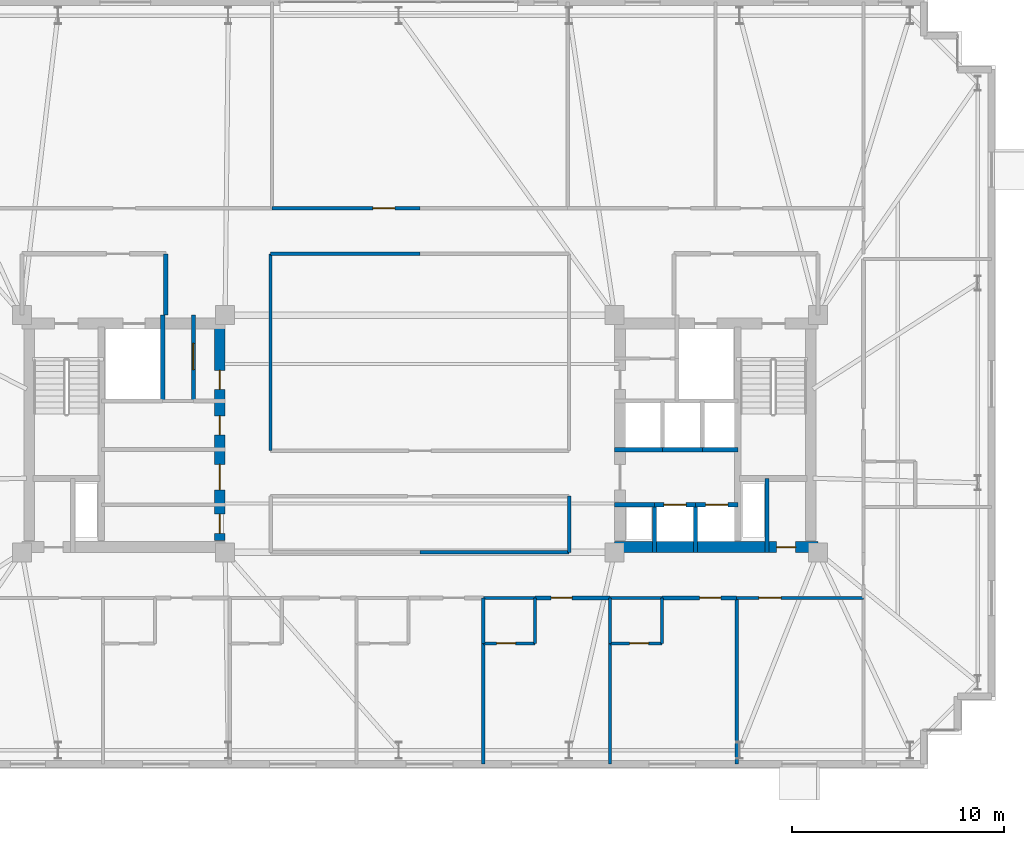
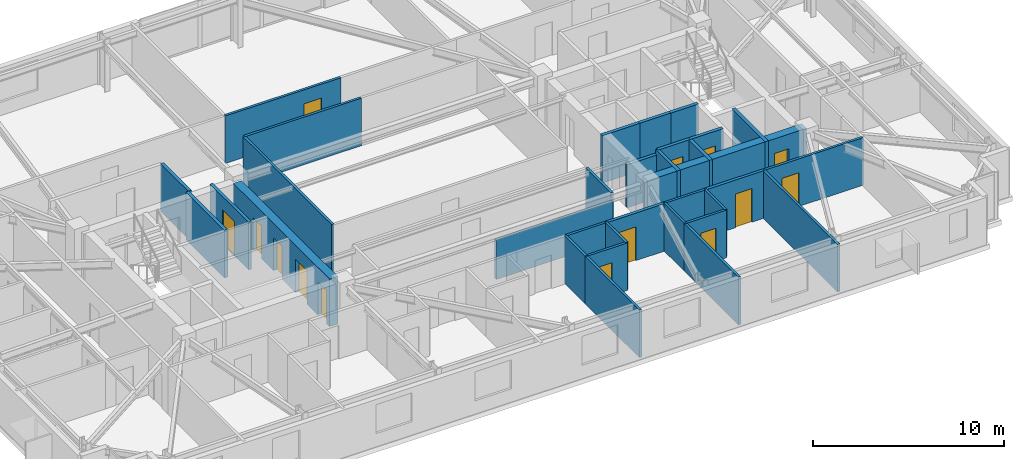
# One storey, part 14 of 18: 33 walls, 14 doors, 14 openings.
"""IFC4 building model written with IfcOpenShell, lengths in metres."""

from ifc_helpers import new_model, si_unit, direction, frame, frame_2d, origin, place, context, subcontext, project, spatial, rectangle, extrude, material, layer, layer_set, type_object, element, fill, save


model = new_model("IFC4")

# Units and contexts
model_context = context("Model", 3, precision=1e-05, world=origin(), true_north=direction((0.0, 1.0)))
body_context = subcontext(model_context, "Body", "Model", "MODEL_VIEW")
ifc_project = project(units=[si_unit("LENGTHUNIT", "METRE"), si_unit("AREAUNIT", "SQUARE_METRE"), si_unit("VOLUMEUNIT", "CUBIC_METRE"), si_unit("PLANEANGLEUNIT", "RADIAN"), si_unit("MASSUNIT", "GRAM", prefix="KILO")], contexts=[model_context])

# Site, building, storey
site_placement = place(None, origin())
site = spatial("IfcSite", under=ifc_project, at=site_placement, CompositionType="ELEMENT")
building_placement = place(site_placement, origin())
building = spatial("IfcBuilding", under=site, at=building_placement, Name="Qobustan Lattice House", CompositionType="ELEMENT")
storey_placement = place(building_placement, frame((0.0, 0.0, 151.10009765625)))
storey = spatial("IfcBuildingStorey", under=building, at=storey_placement, Name="L42", CompositionType="ELEMENT", Elevation=151.10009765625)

# Wall, openings, doors
ifc_material_1 = material(Name="Concrete C50/60", Category="concrete")
ifc_layer_1 = layer(ifc_material_1, 0.5)
ifc_layer_set_1 = layer_set([ifc_layer_1], Name="Concrete C50/60")
wall_type_1 = type_object("IfcWallType", Name="WAL-CORE-500", PredefinedType="SHEAR", material=ifc_layer_set_1)
wall_1_placement = place(storey_placement, frame((-9.449951171875, -5.050048828125, 0.0), z_axis=(0.0, 0.0, 1.0), x_axis=(0.0, 1.0, 0.0)))
wall_1 = element("IfcWall", 1, at=wall_1_placement, inside=storey, type_object=wall_type_1, Name="L42 split-core shear wall CW-E", PredefinedType="SHEAR", context=body_context, shape_type="SweptSolid", body=[
    extrude(rectangle(XDim=10.10009765625, YDim=0.5, at=frame_2d((5.050048828125, 0.0))), origin(), (0.0, 0.0, 1.0), 3.039794921875),
])
opening_1_placement = place(wall_1_placement, frame((7.14990234375, 0.0, 0.0)))
opening_1 = element("IfcOpeningElement", 2, at=opening_1_placement, cuts=wall_1, Name="Opening RD-01", PredefinedType="OPENING", context=body_context, shape_type="SweptSolid", body=[
    extrude(rectangle(XDim=0.89990234375, YDim=2.10009765625, at=frame_2d((0.449951171875, 1.050048828125))), frame((0.0, 0.260009765625, 0.0), z_axis=(0.0, -1.0, 0.0), x_axis=(1.0, 0.0, 0.0)), (0.0, 0.0, 1.0), 0.52001953125),
])
opening_2_placement = place(wall_1_placement, frame((2.39990234375, 0.0, 0.0)))
opening_2 = element("IfcOpeningElement", 3, at=opening_2_placement, cuts=wall_1, Name="Opening FD-01", PredefinedType="OPENING", context=body_context, shape_type="SweptSolid", body=[
    extrude(rectangle(XDim=1.199951171875, YDim=2.14990234375, at=frame_2d((0.60009765625, 1.074951171875))), frame((0.0, 0.260009765625, 0.0), z_axis=(0.0, -1.0, 0.0), x_axis=(1.0, 0.0, 0.0)), (0.0, 0.0, 1.0), 0.52001953125),
])
opening_3_placement = place(wall_1_placement, frame((0.35009765625, 0.0, 0.0)))
opening_3 = element("IfcOpeningElement", 4, at=opening_3_placement, cuts=wall_1, Name="Opening RD-01", PredefinedType="OPENING", context=body_context, shape_type="SweptSolid", body=[
    extrude(rectangle(XDim=0.89990234375, YDim=2.10009765625, at=frame_2d((0.449951171875, 1.050048828125))), frame((0.0, 0.260009765625, 0.0), z_axis=(0.0, -1.0, 0.0), x_axis=(1.0, 0.0, 0.0)), (0.0, 0.0, 1.0), 0.52001953125),
])
opening_4_placement = place(wall_1_placement, frame((5.0, 0.0, 0.0)))
opening_4 = element("IfcOpeningElement", 5, at=opening_4_placement, cuts=wall_1, Name="Opening RD-01", PredefinedType="OPENING", context=body_context, shape_type="SweptSolid", body=[
    extrude(rectangle(XDim=0.89990234375, YDim=2.10009765625, at=frame_2d((0.449951171875, 1.050048828125))), frame((0.0, 0.260009765625, 0.0), z_axis=(0.0, -1.0, 0.0), x_axis=(1.0, 0.0, 0.0)), (0.0, 0.0, 1.0), 0.52001953125),
])
ifc_material_2 = material(Name="Persian walnut timber and steel frame door", Category="steel")
door_type_1 = type_object("IfcDoorType", Name="DOR-LOBBY-FD-1200x2150", OperationType="NOTDEFINED", PredefinedType="DOOR", material=ifc_material_2)
door_1_placement = place(opening_2_placement, origin())
door_1 = element("IfcDoor", 6, at=door_1_placement, inside=storey, type_object=door_type_1, Name="L42 West core foyer fire door", OperationType="SINGLE_SWING_RIGHT", OverallHeight=2.14990234375, OverallWidth=1.199951171875, PredefinedType="DOOR", context=body_context, shape_type="SweptSolid", body=[
    extrude(rectangle(XDim=1.199951171875, YDim=2.14990234375, at=frame_2d((0.60009765625, 1.074951171875))), frame((0.0, 0.02490234375, 0.0), z_axis=(0.0, -1.0, 0.0), x_axis=(1.0, 0.0, 0.0)), (0.0, 0.0, 1.0), 0.050048828125),
])
fill(opening_2, door_1)
ifc_material_3 = material(Name="Persian walnut timber and steel frame door", Category="steel")
door_type_2 = type_object("IfcDoorType", Name="DOR-RISER-FD-900x2100", OperationType="NOTDEFINED", PredefinedType="DOOR", material=ifc_material_3)
door_2_placement = place(opening_1_placement, origin())
door_2 = element("IfcDoor", 7, at=door_2_placement, inside=storey, type_object=door_type_2, Name="L42 Data comms closet fire door", OperationType="SINGLE_SWING_LEFT", OverallHeight=2.10009765625, OverallWidth=0.89990234375, PredefinedType="DOOR", context=body_context, shape_type="SweptSolid", body=[
    extrude(rectangle(XDim=0.89990234375, YDim=2.10009765625, at=frame_2d((0.449951171875, 1.050048828125))), frame((0.0, 0.02490234375, 0.0), z_axis=(0.0, -1.0, 0.0), x_axis=(1.0, 0.0, 0.0)), (0.0, 0.0, 1.0), 0.050048828125),
])
fill(opening_1, door_2)
door_3_placement = place(opening_3_placement, origin())
door_3 = element("IfcDoor", 8, at=door_3_placement, inside=storey, type_object=door_type_2, Name="L42 Collaborative study lounge fire door", OperationType="SINGLE_SWING_LEFT", OverallHeight=2.10009765625, OverallWidth=0.89990234375, PredefinedType="DOOR", context=body_context, shape_type="SweptSolid", body=[
    extrude(rectangle(XDim=0.89990234375, YDim=2.10009765625, at=frame_2d((0.449951171875, 1.050048828125))), frame((0.0, 0.02490234375, 0.0), z_axis=(0.0, -1.0, 0.0), x_axis=(1.0, 0.0, 0.0)), (0.0, 0.0, 1.0), 0.050048828125),
])
fill(opening_3, door_3)
door_4_placement = place(opening_4_placement, origin())
door_4 = element("IfcDoor", 9, at=door_4_placement, inside=storey, type_object=door_type_2, Name="L42 Focus booth pod fire door", OperationType="SINGLE_SWING_RIGHT", OverallHeight=2.10009765625, OverallWidth=0.89990234375, PredefinedType="DOOR", context=body_context, shape_type="SweptSolid", body=[
    extrude(rectangle(XDim=0.89990234375, YDim=2.10009765625, at=frame_2d((0.449951171875, 1.050048828125))), frame((0.0, 0.02490234375, 0.0), z_axis=(0.0, -1.0, 0.0), x_axis=(1.0, 0.0, 0.0)), (0.0, 0.0, 1.0), 0.050048828125),
])
fill(opening_4, door_4)

# Wall, opening, door
wall_2_placement = place(storey_placement, frame((9.199951171875, -5.35009765625, 0.0), z_axis=(0.0, 0.0, 1.0), x_axis=(1.0, 0.0, 0.0)))
wall_2 = element("IfcWall", 10, at=wall_2_placement, inside=storey, type_object=wall_type_1, Name="L42 split-core shear wall CE-S", PredefinedType="SHEAR", context=body_context, shape_type="SweptSolid", body=[
    extrude(rectangle(XDim=9.60009765625, YDim=0.5, at=frame_2d((4.800048828125, 0.0))), origin(), (0.0, 0.0, 1.0), 3.039794921875),
])
opening_5_placement = place(wall_2_placement, frame((7.64990234375, 0.0, 0.0)))
opening_5 = element("IfcOpeningElement", 11, at=opening_5_placement, cuts=wall_2, Name="Opening RD-01", PredefinedType="OPENING", context=body_context, shape_type="SweptSolid", body=[
    extrude(rectangle(XDim=0.89990234375, YDim=2.10009765625, at=frame_2d((0.449951171875, 1.050048828125))), frame((0.0, 0.260009765625, 0.0), z_axis=(0.0, -1.0, 0.0), x_axis=(1.0, 0.0, 0.0)), (0.0, 0.0, 1.0), 0.52001953125),
])
door_5_placement = place(opening_5_placement, origin())
door_5 = element("IfcDoor", 12, at=door_5_placement, inside=storey, type_object=door_type_2, Name="L42 core service riser access door E", OperationType="SINGLE_SWING_RIGHT", OverallHeight=2.10009765625, OverallWidth=0.89990234375, PredefinedType="DOOR", context=body_context, shape_type="SweptSolid", body=[
    extrude(rectangle(XDim=0.89990234375, YDim=2.10009765625, at=frame_2d((0.449951171875, 1.050048828125))), frame((0.0, 0.02490234375, 0.0), z_axis=(0.0, -1.0, 0.0), x_axis=(1.0, 0.0, 0.0)), (0.0, 0.0, 1.0), 0.050048828125),
])
fill(opening_5, door_5)

ifc_material_4 = material(Name="Gypsum fireboard acoustic partition", Category="gypsum")
ifc_layer_2 = layer(ifc_material_4, 0.179931640625)
ifc_layer_set_2 = layer_set([ifc_layer_2], Name="Gypsum fireboard acoustic partition")
wall_type_2 = type_object("IfcWallType", Name="WAL-FIRE-180", PredefinedType="PARTITIONING", material=ifc_layer_set_2)
wall_3_placement = place(storey_placement, frame((-10.699951171875, 5.60009765625, 0.0), z_axis=(0.0, 0.0, 1.0), x_axis=(0.0, -1.0, 0.0)))
wall_3 = element("IfcWall", 13, at=wall_3_placement, inside=storey, type_object=wall_type_2, Name="L42 interior partition 6", PredefinedType="PARTITIONING", context=body_context, shape_type="SweptSolid", body=[
    extrude(rectangle(XDim=4.050048828125, YDim=0.179931640625, at=frame_2d((2.02490234375, 0.0))), origin(), (0.0, 0.0, 1.0), 3.039794921875),
])
opening_6_placement = place(wall_3_placement, frame((1.324951171875, 0.0, 0.0)))
opening_6 = element("IfcOpeningElement", 14, at=opening_6_placement, cuts=wall_3, Name="Opening FD-03", PredefinedType="OPENING", context=body_context, shape_type="SweptSolid", body=[
    extrude(rectangle(XDim=1.25, YDim=2.199951171875, at=frame_2d((0.625, 1.10009765625))), frame((0.0, 0.099853515625, 0.0), z_axis=(0.0, -1.0, 0.0), x_axis=(1.0, 0.0, 0.0)), (0.0, 0.0, 1.0), 0.199951171875),
])
ifc_material_5 = material(Name="Persian walnut timber and steel frame door", Category="steel")
door_type_3 = type_object("IfcDoorType", Name="DOR-PLANT-1250x2200", OperationType="NOTDEFINED", PredefinedType="DOOR", material=ifc_material_5)
door_6_placement = place(opening_6_placement, origin())
door_6 = element("IfcDoor", 15, at=door_6_placement, inside=storey, type_object=door_type_3, Name="L42 Data comms closet to Linen store door", OperationType="SINGLE_SWING_RIGHT", OverallHeight=2.199951171875, OverallWidth=1.25, PredefinedType="DOOR", context=body_context, shape_type="SweptSolid", body=[
    extrude(rectangle(XDim=1.25, YDim=2.199951171875, at=frame_2d((0.625, 1.10009765625))), frame((0.0, 0.02490234375, 0.0), z_axis=(0.0, -1.0, 0.0), x_axis=(1.0, 0.0, 0.0)), (0.0, 0.0, 1.0), 0.050048828125),
])
fill(opening_6, door_6)

wall_4_placement = place(storey_placement, frame((8.97900390625, -7.75, 0.0), z_axis=(0.0, 0.0, 1.0), x_axis=(-1.0, 0.0, 0.0)))
wall_4 = element("IfcWall", 16, at=wall_4_placement, inside=storey, type_object=wall_type_2, Name="L42 interior partition 54", PredefinedType="PARTITIONING", context=body_context, shape_type="SweptSolid", body=[
    extrude(rectangle(XDim=3.535888671875, YDim=0.179931640625, at=frame_2d((1.76806640625, 0.0))), origin(), (0.0, 0.0, 1.0), 3.039794921875),
])
opening_7_placement = place(wall_4_placement, frame((1.783935546875, 0.0, 0.0)))
opening_7 = element("IfcOpeningElement", 17, at=opening_7_placement, cuts=wall_4, Name="Opening FD-02", PredefinedType="OPENING", context=body_context, shape_type="SweptSolid", body=[
    extrude(rectangle(XDim=1.0, YDim=2.14990234375, at=frame_2d((0.5, 1.074951171875))), frame((0.0, 0.099853515625, 0.0), z_axis=(0.0, -1.0, 0.0), x_axis=(1.0, 0.0, 0.0)), (0.0, 0.0, 1.0), 0.199951171875),
])
ifc_material_6 = material(Name="Persian walnut timber and steel frame door", Category="steel")
door_type_4 = type_object("IfcDoorType", Name="DOR-UNIT-FD-1000x2150", OperationType="NOTDEFINED", PredefinedType="DOOR", material=ifc_material_6)
door_7_placement = place(opening_7_placement, origin())
door_7 = element("IfcDoor", 18, at=door_7_placement, inside=storey, type_object=door_type_4, Name="L42 South-east floor corridor to Kitchenette and studio apartment L42-S5 door", OperationType="SINGLE_SWING_LEFT", OverallHeight=2.14990234375, OverallWidth=1.0, PredefinedType="DOOR", context=body_context, shape_type="SweptSolid", body=[
    extrude(rectangle(XDim=1.0, YDim=2.14990234375, at=frame_2d((0.5, 1.074951171875))), frame((0.0, 0.02490234375, 0.0), z_axis=(0.0, -1.0, 0.0), x_axis=(1.0, 0.0, 0.0)), (0.0, 0.0, 1.0), 0.050048828125),
])
fill(opening_7, door_7)

wall_5_placement = place(storey_placement, frame((14.964111328125, -7.75, 0.0), z_axis=(0.0, 0.0, 1.0), x_axis=(-1.0, 0.0, 0.0)))
wall_5 = element("IfcWall", 19, at=wall_5_placement, inside=storey, type_object=wall_type_2, Name="L42 interior partition 56", PredefinedType="PARTITIONING", context=body_context, shape_type="SweptSolid", body=[
    extrude(rectangle(XDim=3.53515625, YDim=0.179931640625, at=frame_2d((1.767578125, 0.0))), origin(), (0.0, 0.0, 1.0), 3.039794921875),
])
opening_8_placement = place(wall_5_placement, frame((0.751953125, 0.0, 0.0)))
opening_8 = element("IfcOpeningElement", 20, at=opening_8_placement, cuts=wall_5, Name="Opening FD-02", PredefinedType="OPENING", context=body_context, shape_type="SweptSolid", body=[
    extrude(rectangle(XDim=1.0, YDim=2.14990234375, at=frame_2d((0.5, 1.074951171875))), frame((0.0, 0.099853515625, 0.0), z_axis=(0.0, -1.0, 0.0), x_axis=(1.0, 0.0, 0.0)), (0.0, 0.0, 1.0), 0.199951171875),
])
door_8_placement = place(opening_8_placement, origin())
door_8 = element("IfcDoor", 21, at=door_8_placement, inside=storey, type_object=door_type_4, Name="L42 South-east floor corridor to Kitchenette and studio apartment L42-S6 door", OperationType="SINGLE_SWING_RIGHT", OverallHeight=2.14990234375, OverallWidth=1.0, PredefinedType="DOOR", context=body_context, shape_type="SweptSolid", body=[
    extrude(rectangle(XDim=1.0, YDim=2.14990234375, at=frame_2d((0.5, 1.074951171875))), frame((0.0, 0.02490234375, 0.0), z_axis=(0.0, -1.0, 0.0), x_axis=(1.0, 0.0, 0.0)), (0.0, 0.0, 1.0), 0.050048828125),
])
fill(opening_8, door_8)

ifc_material_7 = material(Name="Acoustic twin-stud gypsum partition", Category="gypsum")
ifc_layer_3 = layer(ifc_material_7, 0.14990234375)
ifc_layer_set_3 = layer_set([ifc_layer_3], Name="Acoustic twin-stud gypsum partition")
wall_type_3 = type_object("IfcWallType", Name="WAL-PART-150", PredefinedType="PARTITIONING", material=ifc_layer_set_3)
wall_6_placement = place(storey_placement, frame((-6.98291015625, 10.64990234375, 0.0), z_axis=(0.0, 0.0, 1.0), x_axis=(1.0, 0.0, 0.0)))
wall_6 = element("IfcWall", 22, at=wall_6_placement, inside=storey, type_object=wall_type_3, Name="L42 interior partition 36", PredefinedType="PARTITIONING", context=body_context, shape_type="SweptSolid", body=[
    extrude(rectangle(XDim=6.98291015625, YDim=0.14990234375, at=frame_2d((3.491455078125, 0.0))), origin(), (0.0, 0.0, 1.0), 3.039794921875),
])
opening_9_placement = place(wall_6_placement, frame((4.75634765625, 0.0, 0.0)))
opening_9 = element("IfcOpeningElement", 23, at=opening_9_placement, cuts=wall_6, Name="Opening ID-02", PredefinedType="OPENING", context=body_context, shape_type="SweptSolid", body=[
    extrude(rectangle(XDim=1.050048828125, YDim=2.14990234375, at=frame_2d((0.52490234375, 1.074951171875))), frame((0.0, 0.0849609375, 0.0), z_axis=(0.0, -1.0, 0.0), x_axis=(1.0, 0.0, 0.0)), (0.0, 0.0, 1.0), 0.169921875),
])
ifc_material_8 = material(Name="Persian walnut timber and steel frame door", Category="steel")
door_type_5 = type_object("IfcDoorType", Name="DOR-STUDY-1050x2150", OperationType="NOTDEFINED", PredefinedType="DOOR", material=ifc_material_8)
door_9_placement = place(opening_9_placement, origin())
door_9 = element("IfcDoor", 24, at=door_9_placement, inside=storey, type_object=door_type_5, Name="L42 North-west floor corridor to Walnut iwan sky lounge N2 door", OperationType="SINGLE_SWING_LEFT", OverallHeight=2.14990234375, OverallWidth=1.050048828125, PredefinedType="DOOR", context=body_context, shape_type="SweptSolid", body=[
    extrude(rectangle(XDim=1.050048828125, YDim=2.14990234375, at=frame_2d((0.52490234375, 1.074951171875))), frame((0.0, 0.02490234375, 0.0), z_axis=(0.0, -1.0, 0.0), x_axis=(1.0, 0.0, 0.0)), (0.0, 0.0, 1.0), 0.050048828125),
])
fill(opening_9, door_9)

# Wall
wall_7_placement = place(storey_placement, frame((0.0, 8.5, 0.0), z_axis=(0.0, 0.0, 1.0), x_axis=(-1.0, 0.0, 0.0)))
element("IfcWall", 25, at=wall_7_placement, inside=storey, type_object=wall_type_3, Name="L42 interior partition 37", PredefinedType="PARTITIONING", context=body_context, shape_type="SweptSolid", body=[
    extrude(rectangle(XDim=7.050048828125, YDim=0.14990234375, at=frame_2d((3.52490234375, 0.0))), origin(), (0.0, 0.0, 1.0), 3.039794921875),
])

# Wall, opening, door
wall_8_placement = place(storey_placement, frame((20.949951171875, -7.75, 0.0), z_axis=(0.0, 0.0, 1.0), x_axis=(-1.0, 0.0, 0.0)))
wall_8 = element("IfcWall", 26, at=wall_8_placement, inside=storey, type_object=wall_type_3, Name="L42 interior partition 58", PredefinedType="PARTITIONING", context=body_context, shape_type="SweptSolid", body=[
    extrude(rectangle(XDim=5.98583984375, YDim=0.14990234375, at=frame_2d((2.992919921875, 0.0))), origin(), (0.0, 0.0, 1.0), 3.039794921875),
])
opening_10_placement = place(wall_8_placement, frame((3.884033203125, 0.0, 0.0)))
opening_10 = element("IfcOpeningElement", 27, at=opening_10_placement, cuts=wall_8, Name="Opening ID-02", PredefinedType="OPENING", context=body_context, shape_type="SweptSolid", body=[
    extrude(rectangle(XDim=1.050048828125, YDim=2.14990234375, at=frame_2d((0.52490234375, 1.074951171875))), frame((0.0, 0.0849609375, 0.0), z_axis=(0.0, -1.0, 0.0), x_axis=(1.0, 0.0, 0.0)), (0.0, 0.0, 1.0), 0.169921875),
])
door_10_placement = place(opening_10_placement, origin())
door_10 = element("IfcDoor", 28, at=door_10_placement, inside=storey, type_object=door_type_5, Name="L42 South-east floor corridor to Group study room door", OperationType="SINGLE_SWING_LEFT", OverallHeight=2.14990234375, OverallWidth=1.050048828125, PredefinedType="DOOR", context=body_context, shape_type="SweptSolid", body=[
    extrude(rectangle(XDim=1.050048828125, YDim=2.14990234375, at=frame_2d((0.52490234375, 1.074951171875))), frame((0.0, 0.02490234375, 0.0), z_axis=(0.0, -1.0, 0.0), x_axis=(1.0, 0.0, 0.0)), (0.0, 0.0, 1.0), 0.050048828125),
])
fill(opening_10, door_10)

# Walls
wall_9_placement = place(storey_placement, frame((-7.050048828125, 8.5, 0.0), z_axis=(0.0, 0.0, 1.0), x_axis=(0.0, -1.0, 0.0)))
element("IfcWall", 29, at=wall_9_placement, inside=storey, type_object=wall_type_3, Name="L42 interior partition 66", PredefinedType="PARTITIONING", context=body_context, shape_type="SweptSolid", body=[
    extrude(rectangle(XDim=9.300048828125, YDim=0.14990234375, at=frame_2d((4.64990234375, 0.0))), origin(), (0.0, 0.0, 1.0), 3.039794921875),
])
for number, where, z_axis, x_axis, name in (
    (30, (2.992919921875, -9.89990234375, 0.0), (0.0, 0.0, 1.0), (0.0, -1.0, 0.0), "L42 interior partition 109"),
    (31, (8.97900390625, -9.89990234375, 0.0), (0.0, 0.0, 1.0), (0.0, -1.0, 0.0), "L42 interior partition 113"),
):
    element("IfcWall", number, at=place(storey_placement, frame(where, z_axis=z_axis, x_axis=x_axis)), inside=storey, type_object=wall_type_3, Name=name, PredefinedType="PARTITIONING", context=body_context, shape_type="SweptSolid", body=[
        extrude(rectangle(XDim=5.7001953125, YDim=0.14990234375, at=frame_2d((2.85009765625, 0.0))), origin(), (0.0, 0.0, 1.0), 3.039794921875),
    ])
wall_10_placement = place(storey_placement, frame((14.964111328125, -7.75, 0.0), z_axis=(0.0, 0.0, 1.0), x_axis=(0.0, -1.0, 0.0)))
element("IfcWall", 32, at=wall_10_placement, inside=storey, type_object=wall_type_3, Name="L42 interior partition 117", PredefinedType="PARTITIONING", context=body_context, shape_type="SweptSolid", body=[
    extrude(rectangle(XDim=7.85009765625, YDim=0.14990234375, at=frame_2d((3.925048828125, 0.0))), origin(), (0.0, 0.0, 1.0), 3.039794921875),
])
ifc_material_9 = material(Name="High-mass acoustic twin-stud partition", Category="gypsum")
ifc_layer_4 = layer(ifc_material_9, 0.1650390625)
ifc_layer_set_4 = layer_set([ifc_layer_4], Name="High-mass acoustic twin-stud partition")
wall_type_4 = type_object("IfcWallType", Name="WAL-PART-165", PredefinedType="PARTITIONING", material=ifc_layer_set_4)
wall_11_placement = place(storey_placement, frame((0.0, -5.60009765625, 0.0), z_axis=(0.0, 0.0, 1.0), x_axis=(1.0, 0.0, 0.0)))
element("IfcWall", 33, at=wall_11_placement, inside=storey, type_object=wall_type_4, Name="L42 interior partition 59", PredefinedType="PARTITIONING", context=body_context, shape_type="SweptSolid", body=[
    extrude(rectangle(XDim=7.050048828125, YDim=0.1650390625, at=frame_2d((3.52490234375, 0.0))), origin(), (0.0, 0.0, 1.0), 2.52490234375),
])
wall_12_placement = place(storey_placement, frame((7.050048828125, -5.60009765625, 0.0), z_axis=(0.0, 0.0, 1.0), x_axis=(0.0, 1.0, 0.0)))
element("IfcWall", 34, at=wall_12_placement, inside=storey, type_object=wall_type_4, Name="L42 interior partition 69", PredefinedType="PARTITIONING", context=body_context, shape_type="SweptSolid", body=[
    extrude(rectangle(XDim=2.650146484375, YDim=0.1650390625, at=frame_2d((1.3251953125, 0.0))), origin(), (0.0, 0.0, 1.0), 3.039794921875),
])
ifc_material_10 = material(Name="Two-hour gypsum fireboard acoustic partition", Category="gypsum")
ifc_layer_5 = layer(ifc_material_10, 0.199951171875)
ifc_layer_set_5 = layer_set([ifc_layer_5], Name="Two-hour gypsum fireboard acoustic partition")
wall_type_5 = type_object("IfcWallType", Name="WAL-PROT-200", PredefinedType="PARTITIONING", material=ifc_layer_set_5)
wall_13_placement = place(storey_placement, frame((-12.0, 5.60009765625, 0.0), z_axis=(0.0, 0.0, 1.0), x_axis=(0.0, 1.0, 0.0)))
element("IfcWall", 35, at=wall_13_placement, inside=storey, type_object=wall_type_5, Name="L42 interior partition 5", PredefinedType="PARTITIONING", context=body_context, shape_type="SweptSolid", body=[
    extrude(rectangle(XDim=2.89990234375, YDim=0.199951171875, at=frame_2d((1.449951171875, 0.0))), origin(), (0.0, 0.0, 1.0), 3.039794921875),
])
ifc_material_11 = material(Name="Concrete C40/50", Category="concrete")
ifc_layer_6 = layer(ifc_material_11, 0.199951171875)
ifc_layer_set_6 = layer_set([ifc_layer_6], Name="Concrete C40/50")
wall_type_6 = type_object("IfcWallType", Name="WAL-SHAFT-200", PredefinedType="PARTITIONING", material=ifc_layer_set_6)
wall_14_placement = place(storey_placement, frame((-12.14990234375, 1.550048828125, 0.0), z_axis=(0.0, 0.0, 1.0), x_axis=(0.0, 1.0, 0.0)))
element("IfcWall", 36, at=wall_14_placement, inside=storey, type_object=wall_type_6, Name="L42 interior partition 2", PredefinedType="PARTITIONING", context=body_context, shape_type="SweptSolid", body=[
    extrude(rectangle(XDim=4.050048828125, YDim=0.199951171875, at=frame_2d((2.02490234375, 0.0))), origin(), (0.0, 0.0, 1.0), 3.039794921875),
])
wall_15_placement = place(storey_placement, frame((16.39990234375, -2.110107421875, 0.0), z_axis=(0.0, 0.0, 1.0), x_axis=(0.0, -1.0, 0.0)))
element("IfcWall", 37, at=wall_15_placement, inside=storey, type_object=wall_type_6, Name="L42 interior partition 15", PredefinedType="PARTITIONING", context=body_context, shape_type="SweptSolid", body=[
    extrude(rectangle(XDim=3.489990234375, YDim=0.199951171875, at=frame_2d((1.7451171875, 0.0))), origin(), (0.0, 0.0, 1.0), 3.039794921875),
])
wall_16_placement = place(storey_placement, frame((9.199951171875, -3.35009765625, 0.0), z_axis=(0.0, 0.0, 1.0), x_axis=(1.0, 0.0, 0.0)))
element("IfcWall", 38, at=wall_16_placement, inside=storey, type_object=wall_type_6, Name="L42 interior partition 23", PredefinedType="PARTITIONING", context=body_context, shape_type="SweptSolid", body=[
    extrude(rectangle(XDim=1.880126953125, YDim=0.199951171875, at=frame_2d((0.93994140625, 0.0))), origin(), (0.0, 0.0, 1.0), 2.7548828125),
])

# Wall, opening, door
wall_17_placement = place(storey_placement, frame((11.080078125, -3.35009765625, 0.0), z_axis=(0.0, 0.0, 1.0), x_axis=(1.0, 0.0, 0.0)))
wall_17 = element("IfcWall", 39, at=wall_17_placement, inside=storey, type_object=wall_type_6, Name="L42 interior partition 24", PredefinedType="PARTITIONING", context=body_context, shape_type="SweptSolid", body=[
    extrude(rectangle(XDim=1.93994140625, YDim=0.199951171875, at=frame_2d((0.969970703125, 0.0))), origin(), (0.0, 0.0, 1.0), 3.039794921875),
])
opening_11_placement = place(wall_17_placement, frame((0.445068359375, 0.0, 0.0)))
opening_11 = element("IfcOpeningElement", 40, at=opening_11_placement, cuts=wall_17, Name="Opening LD-01", PredefinedType="OPENING", context=body_context, shape_type="SweptSolid", body=[
    extrude(rectangle(XDim=1.050048828125, YDim=2.10009765625, at=frame_2d((0.52490234375, 1.050048828125))), frame((0.0, 0.10986328125, 0.0), z_axis=(0.0, -1.0, 0.0), x_axis=(1.0, 0.0, 0.0)), (0.0, 0.0, 1.0), 0.219970703125),
])
ifc_material_12 = material(Name="Persian walnut timber and steel frame door", Category="steel")
door_type_6 = type_object("IfcDoorType", Name="DOR-LIFT-LD-1050x2100", OperationType="NOTDEFINED", PredefinedType="DOOR", material=ifc_material_12)
door_11_placement = place(opening_11_placement, origin())
door_11 = element("IfcDoor", 41, at=door_11_placement, inside=storey, type_object=door_type_6, Name="L42 lift landing door", OperationType="DOUBLE_DOOR_SLIDING", OverallHeight=2.10009765625, OverallWidth=1.050048828125, PredefinedType="DOOR", context=body_context, shape_type="SweptSolid", body=[
    extrude(rectangle(XDim=1.050048828125, YDim=2.10009765625, at=frame_2d((0.52490234375, 1.050048828125))), frame((0.0, 0.02490234375, 0.0), z_axis=(0.0, -1.0, 0.0), x_axis=(1.0, 0.0, 0.0)), (0.0, 0.0, 1.0), 0.050048828125),
])
fill(opening_11, door_11)

wall_18_placement = place(storey_placement, frame((13.02001953125, -3.35009765625, 0.0), z_axis=(0.0, 0.0, 1.0), x_axis=(1.0, 0.0, 0.0)))
wall_18 = element("IfcWall", 42, at=wall_18_placement, inside=storey, type_object=wall_type_6, Name="L42 interior partition 25", PredefinedType="PARTITIONING", context=body_context, shape_type="SweptSolid", body=[
    extrude(rectangle(XDim=2.0, YDim=0.199951171875, at=frame_2d((1.0, 0.0))), origin(), (0.0, 0.0, 1.0), 3.039794921875),
])
opening_12_placement = place(wall_18_placement, frame((0.47509765625, 0.0, 0.0)))
opening_12 = element("IfcOpeningElement", 43, at=opening_12_placement, cuts=wall_18, Name="Opening LD-01", PredefinedType="OPENING", context=body_context, shape_type="SweptSolid", body=[
    extrude(rectangle(XDim=1.050048828125, YDim=2.10009765625, at=frame_2d((0.52490234375, 1.050048828125))), frame((0.0, 0.10986328125, 0.0), z_axis=(0.0, -1.0, 0.0), x_axis=(1.0, 0.0, 0.0)), (0.0, 0.0, 1.0), 0.219970703125),
])
door_12_placement = place(opening_12_placement, origin())
door_12 = element("IfcDoor", 44, at=door_12_placement, inside=storey, type_object=door_type_6, Name="L42 lift landing door", OperationType="DOUBLE_DOOR_SLIDING", OverallHeight=2.10009765625, OverallWidth=1.050048828125, PredefinedType="DOOR", context=body_context, shape_type="SweptSolid", body=[
    extrude(rectangle(XDim=1.050048828125, YDim=2.10009765625, at=frame_2d((0.52490234375, 1.050048828125))), frame((0.0, 0.02490234375, 0.0), z_axis=(0.0, -1.0, 0.0), x_axis=(1.0, 0.0, 0.0)), (0.0, 0.0, 1.0), 0.050048828125),
])
fill(opening_12, door_12)

# Walls
wall_19_placement = place(storey_placement, frame((11.4599609375, -0.75, 0.0), z_axis=(0.0, 0.0, 1.0), x_axis=(-1.0, 0.0, 0.0)))
element("IfcWall", 45, at=wall_19_placement, inside=storey, type_object=wall_type_6, Name="L42 interior partition 26", PredefinedType="PARTITIONING", context=body_context, shape_type="SweptSolid", body=[
    extrude(rectangle(XDim=2.260009765625, YDim=0.199951171875, at=frame_2d((1.1298828125, 0.0))), origin(), (0.0, 0.0, 1.0), 3.039794921875),
])
wall_20_placement = place(storey_placement, frame((13.340087890625, -0.75, 0.0), z_axis=(0.0, 0.0, 1.0), x_axis=(-1.0, 0.0, 0.0)))
element("IfcWall", 46, at=wall_20_placement, inside=storey, type_object=wall_type_6, Name="L42 interior partition 27", PredefinedType="PARTITIONING", context=body_context, shape_type="SweptSolid", body=[
    extrude(rectangle(XDim=1.880126953125, YDim=0.199951171875, at=frame_2d((0.93994140625, 0.0))), origin(), (0.0, 0.0, 1.0), 3.039794921875),
])
wall_21_placement = place(storey_placement, frame((15.02001953125, -0.75, 0.0), z_axis=(0.0, 0.0, 1.0), x_axis=(-1.0, 0.0, 0.0)))
element("IfcWall", 47, at=wall_21_placement, inside=storey, type_object=wall_type_6, Name="L42 interior partition 28", PredefinedType="PARTITIONING", context=body_context, shape_type="SweptSolid", body=[
    extrude(rectangle(XDim=1.679931640625, YDim=0.199951171875, at=frame_2d((0.83984375, 0.0))), origin(), (0.0, 0.0, 1.0), 3.039794921875),
])
for number, where, z_axis, x_axis, name in (
    (48, (11.080078125, -5.60009765625, 0.0), (0.0, 0.0, 1.0), (0.0, 1.0, 0.0), "L42 interior partition 30"),
    (49, (13.02001953125, -5.60009765625, 0.0), (0.0, 0.0, 1.0), (0.0, 1.0, 0.0), "L42 interior partition 31"),
):
    element("IfcWall", number, at=place(storey_placement, frame(where, z_axis=z_axis, x_axis=x_axis)), inside=storey, type_object=wall_type_6, Name=name, PredefinedType="PARTITIONING", context=body_context, shape_type="SweptSolid", body=[
        extrude(rectangle(XDim=2.25, YDim=0.199951171875, at=frame_2d((1.125, 0.0))), origin(), (0.0, 0.0, 1.0), 3.039794921875),
    ])
ifc_material_13 = material(Name="Moisture-resistant acoustic plumbing wall", Category="gypsum")
ifc_layer_7 = layer(ifc_material_13, 0.14990234375)
ifc_layer_set_7 = layer_set([ifc_layer_7], Name="Moisture-resistant acoustic plumbing wall")
wall_type_7 = type_object("IfcWallType", Name="WAL-WET-150", PredefinedType="PLUMBINGWALL", material=ifc_layer_set_7)
wall_22_placement = place(storey_placement, frame((5.443115234375, -7.75, 0.0), z_axis=(0.0, 0.0, 1.0), x_axis=(-1.0, 0.0, 0.0)))
element("IfcWall", 50, at=wall_22_placement, inside=storey, type_object=wall_type_7, Name="L42 interior partition 55", PredefinedType="PLUMBINGWALL", context=body_context, shape_type="SweptSolid", body=[
    extrude(rectangle(XDim=2.4501953125, YDim=0.14990234375, at=frame_2d((1.22509765625, 0.0))), origin(), (0.0, 0.0, 1.0), 3.039794921875),
])
wall_23_placement = place(storey_placement, frame((11.428955078125, -7.75, 0.0), z_axis=(0.0, 0.0, 1.0), x_axis=(-1.0, 0.0, 0.0)))
element("IfcWall", 51, at=wall_23_placement, inside=storey, type_object=wall_type_7, Name="L42 interior partition 57", PredefinedType="PLUMBINGWALL", context=body_context, shape_type="SweptSolid", body=[
    extrude(rectangle(XDim=2.449951171875, YDim=0.14990234375, at=frame_2d((1.22509765625, 0.0))), origin(), (0.0, 0.0, 1.0), 3.039794921875),
])
wall_24_placement = place(storey_placement, frame((2.992919921875, -7.75, 0.0), z_axis=(0.0, 0.0, 1.0), x_axis=(0.0, -1.0, 0.0)))
element("IfcWall", 52, at=wall_24_placement, inside=storey, type_object=wall_type_7, Name="L42 interior partition 110", PredefinedType="PLUMBINGWALL", context=body_context, shape_type="SweptSolid", body=[
    extrude(rectangle(XDim=2.14990234375, YDim=0.14990234375, at=frame_2d((1.074951171875, 0.0))), origin(), (0.0, 0.0, 1.0), 3.039794921875),
])

# Wall, opening, door
wall_25_placement = place(storey_placement, frame((2.992919921875, -9.89990234375, 0.0), z_axis=(0.0, 0.0, 1.0), x_axis=(1.0, 0.0, 0.0)))
wall_25 = element("IfcWall", 53, at=wall_25_placement, inside=storey, type_object=wall_type_7, Name="L42 interior partition 111", PredefinedType="PLUMBINGWALL", context=body_context, shape_type="SweptSolid", body=[
    extrude(rectangle(XDim=2.4501953125, YDim=0.14990234375, at=frame_2d((1.22509765625, 0.0))), origin(), (0.0, 0.0, 1.0), 3.039794921875),
])
opening_13_placement = place(wall_25_placement, frame((0.628662109375, 0.0, 0.0)))
opening_13 = element("IfcOpeningElement", 54, at=opening_13_placement, cuts=wall_25, Name="Opening WD-01", PredefinedType="OPENING", context=body_context, shape_type="SweptSolid", body=[
    extrude(rectangle(XDim=0.89990234375, YDim=2.10009765625, at=frame_2d((0.449951171875, 1.050048828125))), frame((0.0, 0.0849609375, 0.0), z_axis=(0.0, -1.0, 0.0), x_axis=(1.0, 0.0, 0.0)), (0.0, 0.0, 1.0), 0.169921875),
])
ifc_material_14 = material(Name="Persian walnut timber and steel frame door", Category="steel")
door_type_7 = type_object("IfcDoorType", Name="DOR-WET-900x2100", OperationType="NOTDEFINED", PredefinedType="DOOR", material=ifc_material_14)
door_13_placement = place(opening_13_placement, origin())
door_13 = element("IfcDoor", 55, at=door_13_placement, inside=storey, type_object=door_type_7, Name="L42 Kitchenette and studio apartment L42-S5 to En-suite bathroom L42-S5 door", OperationType="SINGLE_SWING_RIGHT", OverallHeight=2.10009765625, OverallWidth=0.89990234375, PredefinedType="DOOR", context=body_context, shape_type="SweptSolid", body=[
    extrude(rectangle(XDim=0.89990234375, YDim=2.10009765625, at=frame_2d((0.449951171875, 1.050048828125))), frame((0.0, 0.02490234375, 0.0), z_axis=(0.0, -1.0, 0.0), x_axis=(1.0, 0.0, 0.0)), (0.0, 0.0, 1.0), 0.050048828125),
])
fill(opening_13, door_13)

# Walls
for number, where, z_axis, x_axis, name in (
    (56, (5.443115234375, -9.89990234375, 0.0), (0.0, 0.0, 1.0), (0.0, 1.0, 0.0), "L42 interior partition 112"),
    (57, (8.97900390625, -7.75, 0.0), (0.0, 0.0, 1.0), (0.0, -1.0, 0.0), "L42 interior partition 114"),
):
    element("IfcWall", number, at=place(storey_placement, frame(where, z_axis=z_axis, x_axis=x_axis)), inside=storey, type_object=wall_type_7, Name=name, PredefinedType="PLUMBINGWALL", context=body_context, shape_type="SweptSolid", body=[
        extrude(rectangle(XDim=2.14990234375, YDim=0.14990234375, at=frame_2d((1.074951171875, 0.0))), origin(), (0.0, 0.0, 1.0), 3.039794921875),
    ])

# Wall, opening, door
wall_26_placement = place(storey_placement, frame((8.97900390625, -9.89990234375, 0.0), z_axis=(0.0, 0.0, 1.0), x_axis=(1.0, 0.0, 0.0)))
wall_26 = element("IfcWall", 58, at=wall_26_placement, inside=storey, type_object=wall_type_7, Name="L42 interior partition 115", PredefinedType="PLUMBINGWALL", context=body_context, shape_type="SweptSolid", body=[
    extrude(rectangle(XDim=2.449951171875, YDim=0.14990234375, at=frame_2d((1.22509765625, 0.0))), origin(), (0.0, 0.0, 1.0), 3.039794921875),
])
opening_14_placement = place(wall_26_placement, frame((0.92138671875, 0.0, 0.0)))
opening_14 = element("IfcOpeningElement", 59, at=opening_14_placement, cuts=wall_26, Name="Opening WD-01", PredefinedType="OPENING", context=body_context, shape_type="SweptSolid", body=[
    extrude(rectangle(XDim=0.89990234375, YDim=2.10009765625, at=frame_2d((0.449951171875, 1.050048828125))), frame((0.0, 0.0849609375, 0.0), z_axis=(0.0, -1.0, 0.0), x_axis=(1.0, 0.0, 0.0)), (0.0, 0.0, 1.0), 0.169921875),
])
door_14_placement = place(opening_14_placement, origin())
door_14 = element("IfcDoor", 60, at=door_14_placement, inside=storey, type_object=door_type_7, Name="L42 Kitchenette and studio apartment L42-S6 to En-suite bathroom L42-S6 door", OperationType="SINGLE_SWING_LEFT", OverallHeight=2.10009765625, OverallWidth=0.89990234375, PredefinedType="DOOR", context=body_context, shape_type="SweptSolid", body=[
    extrude(rectangle(XDim=0.89990234375, YDim=2.10009765625, at=frame_2d((0.449951171875, 1.050048828125))), frame((0.0, 0.02490234375, 0.0), z_axis=(0.0, -1.0, 0.0), x_axis=(1.0, 0.0, 0.0)), (0.0, 0.0, 1.0), 0.050048828125),
])
fill(opening_14, door_14)

# Wall
wall_27_placement = place(storey_placement, frame((11.428955078125, -9.89990234375, 0.0), z_axis=(0.0, 0.0, 1.0), x_axis=(0.0, 1.0, 0.0)))
element("IfcWall", 61, at=wall_27_placement, inside=storey, type_object=wall_type_7, Name="L42 interior partition 116", PredefinedType="PLUMBINGWALL", context=body_context, shape_type="SweptSolid", body=[
    extrude(rectangle(XDim=2.14990234375, YDim=0.14990234375, at=frame_2d((1.074951171875, 0.0))), origin(), (0.0, 0.0, 1.0), 3.039794921875),
])

save(model, "model.ifc")
